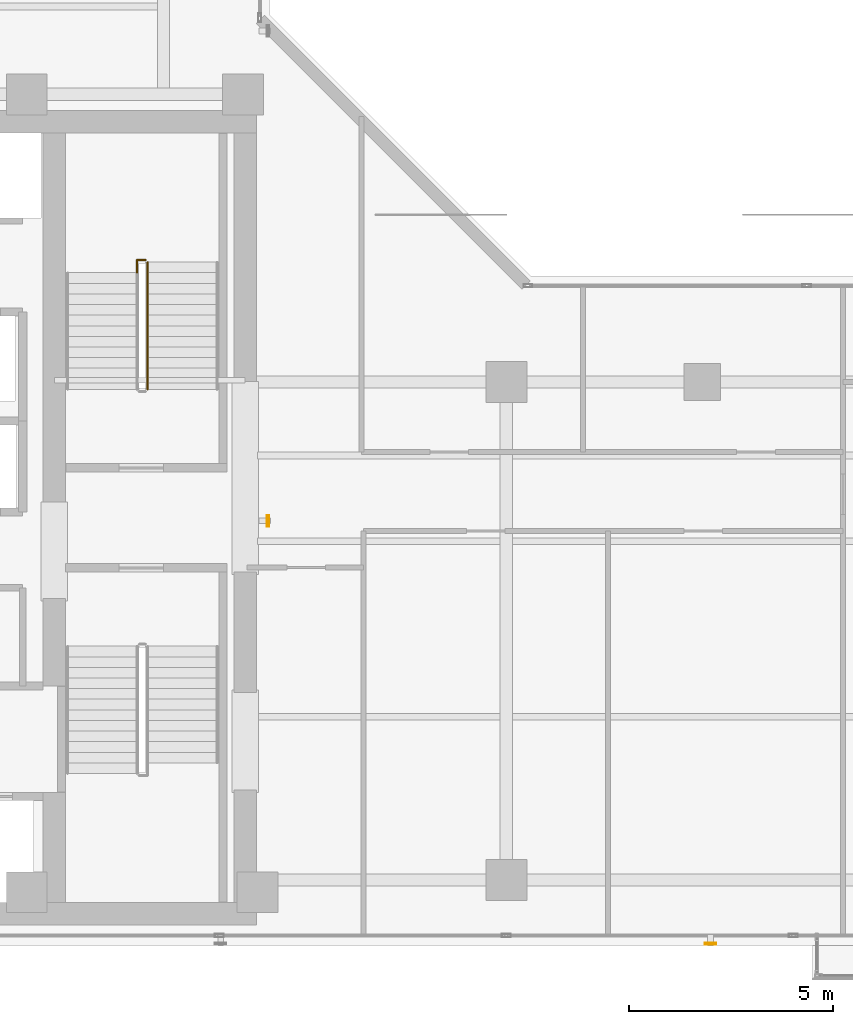
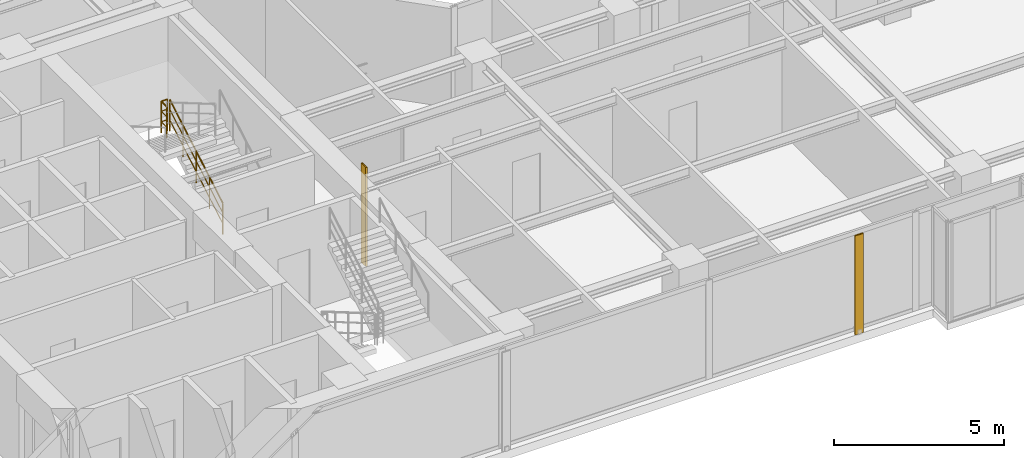
# One storey, part 21 of 25: 2 railings, 2 shading devices.
"""IFC4 building model written with IfcOpenShell, lengths in metres."""

from ifc_helpers import new_model, si_unit, direction, frame, origin, origin_2d, place, context, subcontext, project, spatial, hollow_rectangle, circle, extrude, material, material_profile, profile_set, type_object, element, save


model = new_model("IFC4")

# Units and contexts
model_context = context("Model", 3, precision=1e-05, world=origin(), true_north=direction((0.0, 1.0)))
body_context = subcontext(model_context, "Body", "Model", "MODEL_VIEW")
ifc_project = project(units=[si_unit("LENGTHUNIT", "METRE"), si_unit("AREAUNIT", "SQUARE_METRE"), si_unit("VOLUMEUNIT", "CUBIC_METRE"), si_unit("PLANEANGLEUNIT", "RADIAN"), si_unit("MASSUNIT", "GRAM", prefix="KILO")], contexts=[model_context])

# Site, building, storey
site_placement = place(None, origin())
site = spatial("IfcSite", under=ifc_project, at=site_placement, CompositionType="ELEMENT")
building_placement = place(site_placement, origin())
building = spatial("IfcBuilding", under=site, at=building_placement, Name="Kolvaren Waterfront Exchange", CompositionType="ELEMENT")
storey_placement = place(building_placement, frame((0.0, 0.0, 223.5)))
storey = spatial("IfcBuildingStorey", under=building, at=storey_placement, Name="L57", CompositionType="ELEMENT", Elevation=223.5)

# Shading devices
ifc_material_1 = material(Name="Anodised bronze aluminium 6063-T6", Category="aluminium")
ifc_material_profile = material_profile(ifc_material_1, hollow_rectangle(XDim=0.054931640625, YDim=0.280029296875, WallThickness=0.00439453125, at=origin_2d()), Name="BRZ-FIN-280x55x4.5")
ifc_profile_set = profile_set([ifc_material_profile], Name="Anodised bronze aluminium 6063-T6")
shading_device_type = type_object("IfcShadingDeviceType", Name="ARC-FIN-280", PredefinedType="USERDEFINED", material=ifc_profile_set)
for number, where, z_axis, x_axis, name in (
    (1, (32.199951171875, 3.639892578125, 0.0), (0.0, 0.0, 1.0), (0.0, -1.0, 0.0), "L57 anodised bronze solar shading fin FIN-L57-S3"),
    (2, (21.360107421875, 14.0, 0.0), (0.0, 0.0, 1.0), (1.0, 0.0, 0.0), "L57 anodised bronze solar shading fin FIN-L57-E1"),
):
    element("IfcShadingDevice", number, at=place(storey_placement, frame(where, z_axis=z_axis, x_axis=x_axis)), inside=storey, type_object=shading_device_type, Name=name, ObjectType="SOLAR FIN", PredefinedType="USERDEFINED", context=body_context, shape_type="SweptSolid", body=[
        extrude(hollow_rectangle(XDim=0.054931640625, YDim=0.280029296875, WallThickness=0.00439453125, at=origin_2d()), origin(), (0.0, 0.0, 1.0), 3.56005859375),
    ])

# Railings
ifc_material_2 = material(Name="Stainless steel 316", Category="steel")
railing_type = type_object("IfcRailingType", Name="ARC-GUARD-STAIR", PredefinedType="GUARDRAIL", material=ifc_material_2)
railing_1_placement = place(storey_placement, frame((18.409912109375, 17.219970703125, 0.152099609375)))
element("IfcRailing", 3, at=railing_1_placement, inside=storey, type_object=railing_type, Name="L57 ST2 stair guard 1", PredefinedType="GUARDRAIL", context=body_context, shape_type="SweptSolid", body=[
    extrude(circle(Radius=0.02392578125, at=origin_2d()), frame((0.0, 0.0, 1.1259765625), z_axis=(0.0, 0.86330811405, 0.504677223793), x_axis=(-1.0, 0.0, 0.0)), (0.0, 0.0, 1.0), 3.6142578125),
    extrude(circle(Radius=0.01611328125, at=origin_2d()), frame((0.0, 0.0, 0.390869140625), z_axis=(0.0, 0.86330811405, 0.504677223793), x_axis=(-1.0, 0.0, 0.0)), (0.0, 0.0, 1.0), 3.6142578125),
    extrude(circle(Radius=0.01611328125, at=origin_2d()), frame((0.0, 0.0, 0.7705078125), z_axis=(0.0, 0.86330811405, 0.504677223793), x_axis=(-1.0, 0.0, 0.0)), (0.0, 0.0, 1.0), 3.6142578125),
    extrude(circle(Radius=0.02099609375, at=origin_2d()), origin(), (0.0, 0.0, 1.0), 1.101806640625),
    extrude(circle(Radius=0.02099609375, at=origin_2d()), frame((0.0, 0.780029296875, 0.4560546875)), (0.0, 0.0, 1.0), 1.101806640625),
    extrude(circle(Radius=0.02099609375, at=origin_2d()), frame((0.0, 1.56005859375, 0.912109375)), (0.0, 0.0, 1.0), 1.101806640625),
    extrude(circle(Radius=0.02099609375, at=origin_2d()), frame((0.0, 2.340087890625, 1.367919921875)), (0.0, 0.0, 1.0), 1.101806640625),
    extrude(circle(Radius=0.02099609375, at=origin_2d()), frame((0.0, 3.1201171875, 1.823974609375)), (0.0, 0.0, 1.0), 1.101806640625),
])
railing_2_placement = place(storey_placement, frame((18.360107421875, 20.389892578125, 1.97607421875)))
element("IfcRailing", 4, at=railing_2_placement, inside=storey, type_object=railing_type, Name="L57 ST2 stair guard 2", PredefinedType="GUARDRAIL", context=body_context, shape_type="SweptSolid", body=[
    extrude(circle(Radius=0.02392578125, at=origin_2d()), frame((0.0, 0.0, 1.1259765625), z_axis=(-1.0, 0.0, 0.0), x_axis=(0.0, -1.0, 0.0)), (0.0, 0.0, 1.0), 0.210205078125),
    extrude(circle(Radius=0.01611328125, at=origin_2d()), frame((0.0, 0.0, 0.390869140625), z_axis=(-1.0, 0.0, 0.0), x_axis=(0.0, -1.0, 0.0)), (0.0, 0.0, 1.0), 0.210205078125),
    extrude(circle(Radius=0.01611328125, at=origin_2d()), frame((0.0, 0.0, 0.7705078125), z_axis=(-1.0, 0.0, 0.0), x_axis=(0.0, -1.0, 0.0)), (0.0, 0.0, 1.0), 0.210205078125),
    extrude(circle(Radius=0.02392578125, at=origin_2d()), frame((-0.210205078125, 0.0, 1.1259765625), z_axis=(0.0, -1.0, 0.0), x_axis=(1.0, 0.0, 0.0)), (0.0, 0.0, 1.0), 0.309814453125),
    extrude(circle(Radius=0.01611328125, at=origin_2d()), frame((-0.210205078125, 0.0, 0.390869140625), z_axis=(0.0, -1.0, 0.0), x_axis=(1.0, 0.0, 0.0)), (0.0, 0.0, 1.0), 0.309814453125),
    extrude(circle(Radius=0.01611328125, at=origin_2d()), frame((-0.210205078125, 0.0, 0.7705078125), z_axis=(0.0, -1.0, 0.0), x_axis=(1.0, 0.0, 0.0)), (0.0, 0.0, 1.0), 0.309814453125),
    extrude(circle(Radius=0.02099609375, at=origin_2d()), origin(), (0.0, 0.0, 1.0), 1.101806640625),
    extrude(circle(Radius=0.02099609375, at=origin_2d()), frame((-0.210205078125, 0.0, 0.0)), (0.0, 0.0, 1.0), 1.101806640625),
    extrude(circle(Radius=0.02099609375, at=origin_2d()), frame((-0.210205078125, -0.309814453125, 0.0)), (0.0, 0.0, 1.0), 1.101806640625),
])

save(model, "model.ifc")
